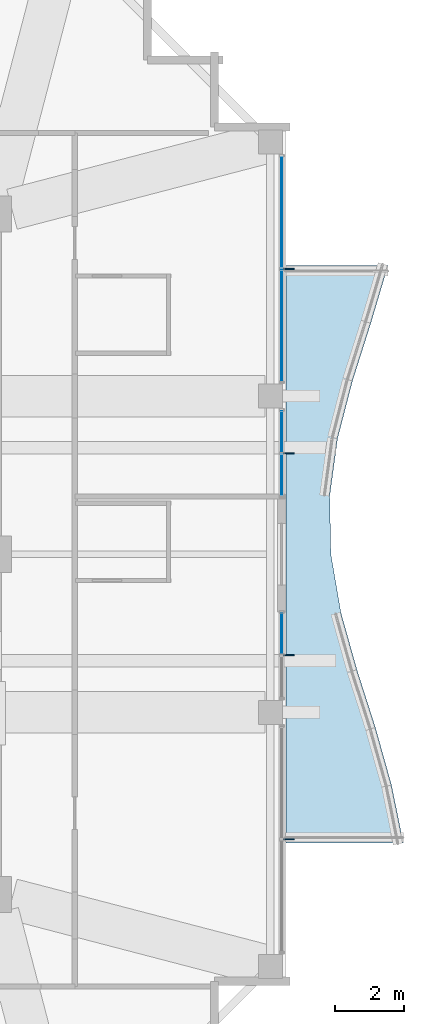
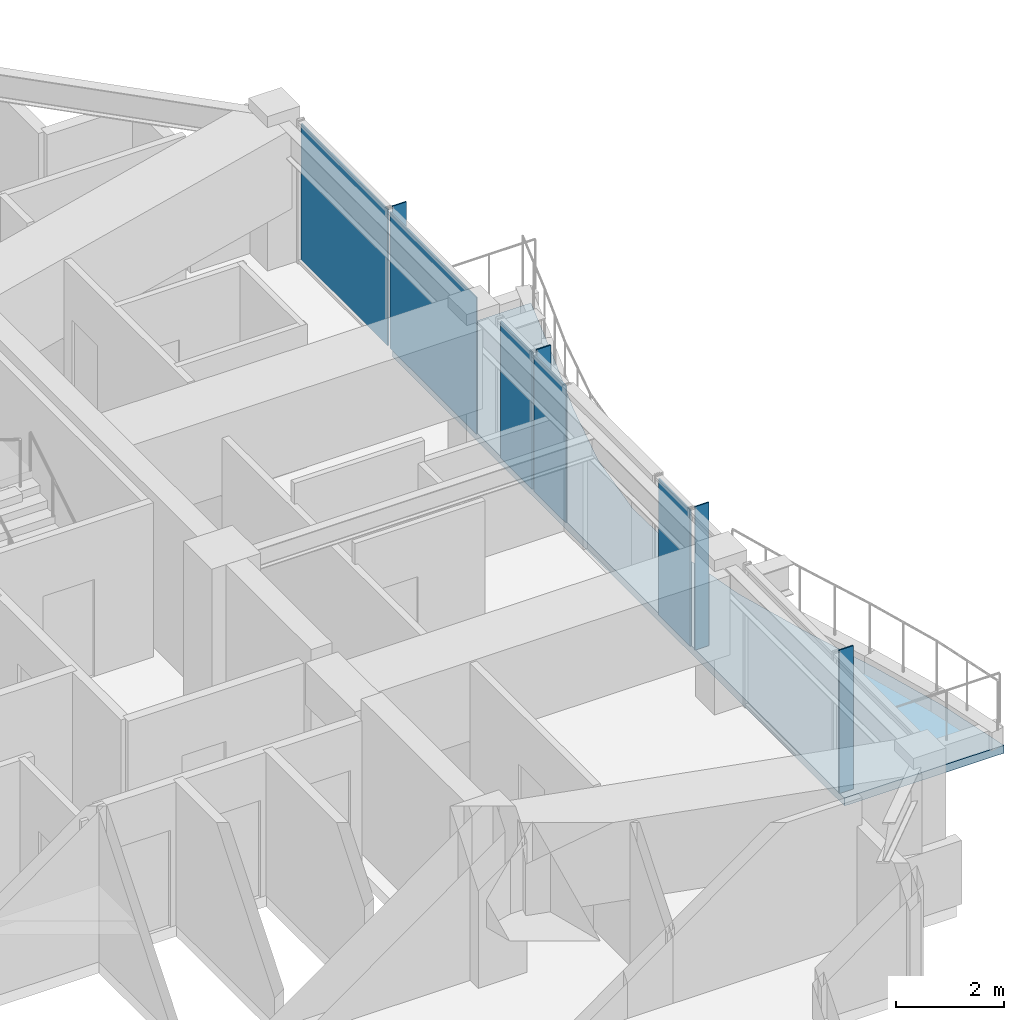
# One storey, part 23 of 31: 9 plates, 1 slab, 3 elements without a shape of their own.
"""IFC4 building model written with IfcOpenShell, lengths in metres."""

from ifc_helpers import new_model, si_unit, direction, frame, origin, origin_2d, place, context, subcontext, project, spatial, polyline, rectangle, outline, extrude, material, layer, layer_set, type_object, element, aggregate, save


model = new_model("IFC4")

# Units and contexts
model_context = context("Model", 3, precision=1e-05, world=origin(), true_north=direction((0.0, 1.0)))
body_context = subcontext(model_context, "Body", "Model", "MODEL_VIEW")
ifc_project = project(units=[si_unit("LENGTHUNIT", "METRE"), si_unit("AREAUNIT", "SQUARE_METRE"), si_unit("VOLUMEUNIT", "CUBIC_METRE"), si_unit("PLANEANGLEUNIT", "RADIAN"), si_unit("MASSUNIT", "GRAM", prefix="KILO")], contexts=[model_context])

# Site, building, storey
site_placement = place(None, origin())
site = spatial("IfcSite", under=ifc_project, at=site_placement, CompositionType="ELEMENT")
building_placement = place(site_placement, origin())
building = spatial("IfcBuilding", under=site, at=building_placement, Name="Kolvaren Belvedere", CompositionType="ELEMENT")
storey_placement = place(building_placement, frame((0.0, 0.0, 237.39990234375)))
storey = spatial("IfcBuildingStorey", under=building, at=storey_placement, Name="L69", CompositionType="ELEMENT", Elevation=237.39990234375)

# Curtain wall, plates
ifc_material_1 = material(Name="Anodised pale-metal aluminium AA 6063-T6", Category="aluminium")
curtain_wall_type = type_object("IfcCurtainWallType", Name="CW-Z5-HIGH", PredefinedType="NOTDEFINED", material=ifc_material_1)
curtain_wall_1_placement = place(storey_placement, origin())
curtain_wall_1 = element("IfcCurtainWall", 1, at=curtain_wall_1_placement, inside=storey, type_object=curtain_wall_type, Name="L69 Unitised Curtain Wall FCW-L69-E1-B1", PredefinedType="NOTDEFINED")
ifc_material_2 = material(Name="Low-iron triple insulated glass", Category="glass")
ifc_layer_1 = layer(ifc_material_2, 0.028076171875)
ifc_layer_set_1 = layer_set([ifc_layer_1], Name="Low-iron triple insulated glass")
plate_type_1 = type_object("IfcPlateType", Name="CW-PNL-VIS28", PredefinedType="CURTAIN_PANEL", material=ifc_layer_set_1)
plate_1_placement = place(storey_placement, frame((18.280029296875, 9.947509765625, 0.080078125), z_axis=(0.0, 0.0, 1.0), x_axis=(0.0, -1.0, 0.0)))
plate_1 = element("IfcPlate", 2, at=plate_1_placement, type_object=plate_type_1, Name="FCW-L69-E1-B1 Vision Glazing Panel 1", PredefinedType="CURTAIN_PANEL", context=body_context, shape_type="SweptSolid", body=[
    extrude(rectangle(XDim=3.215087890625, YDim=0.028076171875, at=origin_2d()), origin(), (0.0, 0.0, 1.0), 3.090087890625),
])
plate_2_placement = place(storey_placement, frame((18.280029296875, 6.652587890625, 0.080078125), z_axis=(0.0, 0.0, 1.0), x_axis=(0.0, -1.0, 0.0)))
plate_2 = element("IfcPlate", 3, at=plate_2_placement, type_object=plate_type_1, Name="FCW-L69-E1-B1 Vision Glazing Panel 2", PredefinedType="CURTAIN_PANEL", context=body_context, shape_type="SweptSolid", body=[
    extrude(rectangle(XDim=3.215087890625, YDim=0.028076171875, at=origin_2d()), origin(), (0.0, 0.0, 1.0), 3.090087890625),
])
aggregate(curtain_wall_1, [plate_1, plate_2])

curtain_wall_2_placement = place(storey_placement, origin())
curtain_wall_2 = element("IfcCurtainWall", 4, at=curtain_wall_2_placement, inside=storey, type_object=curtain_wall_type, Name="L69 Unitised Curtain Wall FCW-L69-E1-B2", PredefinedType="NOTDEFINED")
plate_3_placement = place(storey_placement, frame((18.280029296875, 3.56640625, 0.080078125), z_axis=(0.0, 0.0, 1.0), x_axis=(0.0, -1.0, 0.0)))
plate_3 = element("IfcPlate", 5, at=plate_3_placement, type_object=plate_type_1, Name="FCW-L69-E1-B2 Vision Glazing Panel 1", PredefinedType="CURTAIN_PANEL", context=body_context, shape_type="SweptSolid", body=[
    extrude(rectangle(XDim=1.177490234375, YDim=0.028076171875, at=origin_2d()), origin(), (0.0, 0.0, 1.0), 3.090087890625),
])
plate_4_placement = place(storey_placement, frame((18.280029296875, 2.30859375, 0.080078125), z_axis=(0.0, 0.0, 1.0), x_axis=(0.0, -1.0, 0.0)))
plate_4 = element("IfcPlate", 6, at=plate_4_placement, type_object=plate_type_1, Name="FCW-L69-E1-B2 Vision Glazing Panel 2", PredefinedType="CURTAIN_PANEL", context=body_context, shape_type="SweptSolid", body=[
    extrude(rectangle(XDim=1.177490234375, YDim=0.028076171875, at=origin_2d()), origin(), (0.0, 0.0, 1.0), 3.090087890625),
])
aggregate(curtain_wall_2, [plate_3, plate_4])

# Curtain wall, plate
curtain_wall_3_placement = place(storey_placement, origin())
curtain_wall_3 = element("IfcCurtainWall", 7, at=curtain_wall_3_placement, inside=storey, type_object=curtain_wall_type, Name="L69 Unitised Curtain Wall FCW-L69-E2-B1", PredefinedType="NOTDEFINED")
plate_5_placement = place(storey_placement, frame((18.280029296875, -2.30859375, 0.080078125), z_axis=(0.0, 0.0, 1.0), x_axis=(0.0, -1.0, 0.0)))
plate_5 = element("IfcPlate", 8, at=plate_5_placement, type_object=plate_type_1, Name="FCW-L69-E2-B1 Vision Glazing Panel 1", PredefinedType="CURTAIN_PANEL", context=body_context, shape_type="SweptSolid", body=[
    extrude(rectangle(XDim=1.177490234375, YDim=0.028076171875, at=origin_2d()), origin(), (0.0, 0.0, 1.0), 3.090087890625),
])
aggregate(curtain_wall_3, [plate_5])

# Plates
ifc_material_3 = material(Name="Anodised pale-metal aluminium AA 6063-T6", Category="aluminium")
ifc_layer_2 = layer(ifc_material_3, 0.030029296875)
ifc_layer_set_2 = layer_set([ifc_layer_2], Name="Anodised pale-metal aluminium AA 6063-T6")
plate_type_2 = type_object("IfcPlateType", Name="FIN-VERT-300", PredefinedType="USERDEFINED", material=ifc_layer_set_2)
for number, where, z_axis, x_axis, name in (
    (9, (18.489990234375, 8.300048828125, 0.0), (0.0, 0.0, 1.0), (1.0, 0.0, 0.0), "L69 Pale-Metal Vertical Shading Fin FCW-L69-E1-B1-1"),
    (10, (18.489990234375, 2.9375, 0.0), (0.0, 0.0, 1.0), (1.0, 0.0, 0.0), "L69 Pale-Metal Vertical Shading Fin FCW-L69-E1-B2-1"),
    (11, (18.489990234375, -2.9375, 0.0), (0.0, 0.0, 1.0), (1.0, 0.0, 0.0), "L69 Pale-Metal Vertical Shading Fin FCW-L69-E2-B1-1"),
    (12, (18.489990234375, -8.300048828125, 0.0), (0.0, 0.0, 1.0), (1.0, 0.0, 0.0), "L69 Pale-Metal Vertical Shading Fin FCW-L69-E2-B2-1"),
):
    element("IfcPlate", number, at=place(storey_placement, frame(where, z_axis=z_axis, x_axis=x_axis)), inside=storey, type_object=plate_type_2, Name=name, ObjectType="VERTICAL FIN", PredefinedType="USERDEFINED", context=body_context, shape_type="SweptSolid", body=[
        extrude(rectangle(XDim=0.300048828125, YDim=0.030029296875, at=origin_2d()), origin(), (0.0, 0.0, 1.0), 3.25),
    ])

# Slab
ifc_material_4 = material(Name="Concrete C50/60", Category="concrete")
ifc_layer_3 = layer(ifc_material_4, 0.179931640625)
ifc_layer_set_3 = layer_set([ifc_layer_3], Name="Concrete C50/60")
slab_type = type_object("IfcSlabType", Name="SL-BAL-180", PredefinedType="FLOOR", material=ifc_layer_set_3)
slab_placement = place(storey_placement, frame((0.0, 0.0, -0.25)))
element("IfcSlab", 13, at=slab_placement, inside=storey, type_object=slab_type, Name="L69 Planted Balcony BAL-E", PredefinedType="FLOOR", context=body_context, shape_type="SweptSolid", body=[
    extrude(outline(polyline([(21.820068359375, -8.39990234375), (21.479248046875, -6.719970703125), (21.008544921875, -5.0400390625), (20.471435546875, -3.360107421875), (20.000732421875, -1.679931640625), (19.712890625, 0.0), (19.67919921875, 1.679931640625), (19.90771484375, 3.360107421875), (20.34228515625, 5.0400390625), (20.87548828125, 6.719970703125), (21.374755859375, 8.39990234375), (18.39990234375, 8.39990234375), (18.39990234375, 6.719970703125), (18.39990234375, 5.0400390625), (18.39990234375, 3.360107421875), (18.39990234375, 1.679931640625), (18.39990234375, 0.0), (18.39990234375, -1.679931640625), (18.39990234375, -3.360107421875), (18.39990234375, -5.0400390625), (18.39990234375, -6.719970703125), (18.39990234375, -8.39990234375), (21.820068359375, -8.39990234375)])), origin(), (0.0, 0.0, 1.0), 0.18017578125),
])

save(model, "model.ifc")
